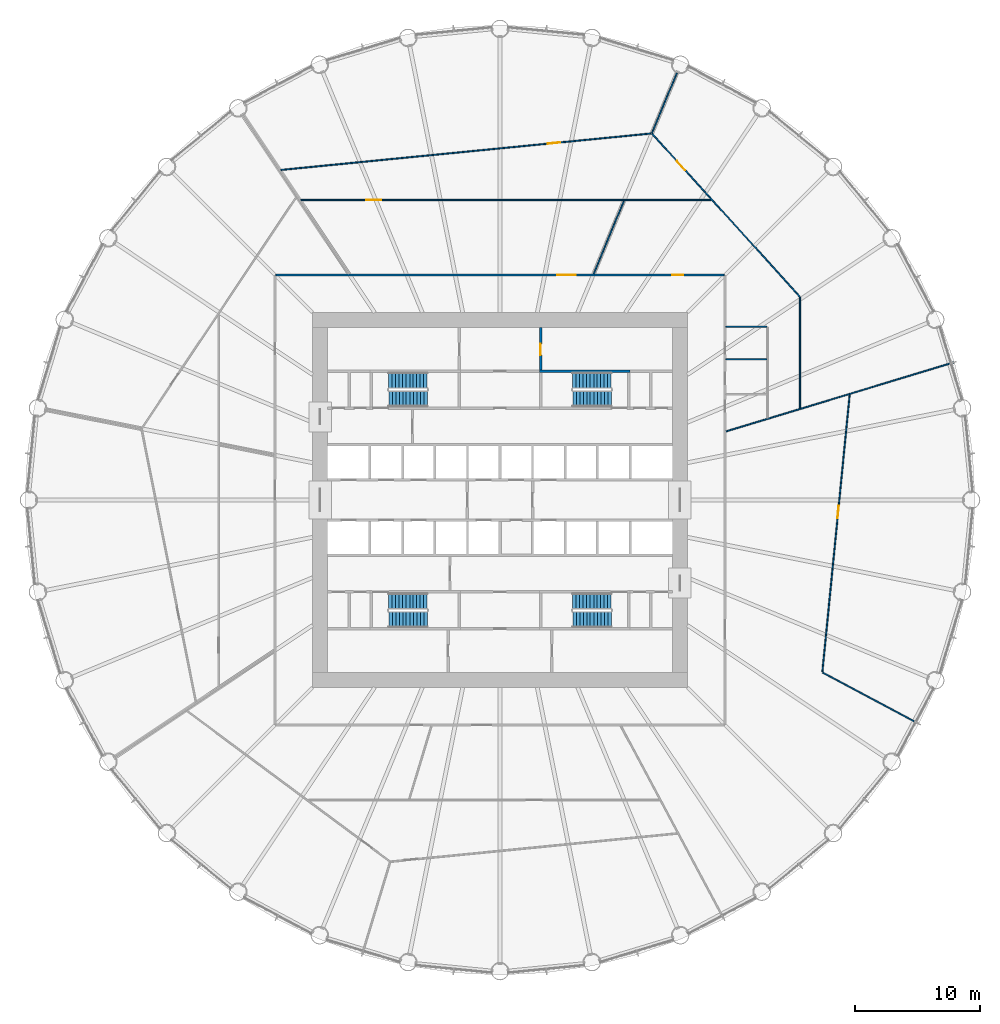
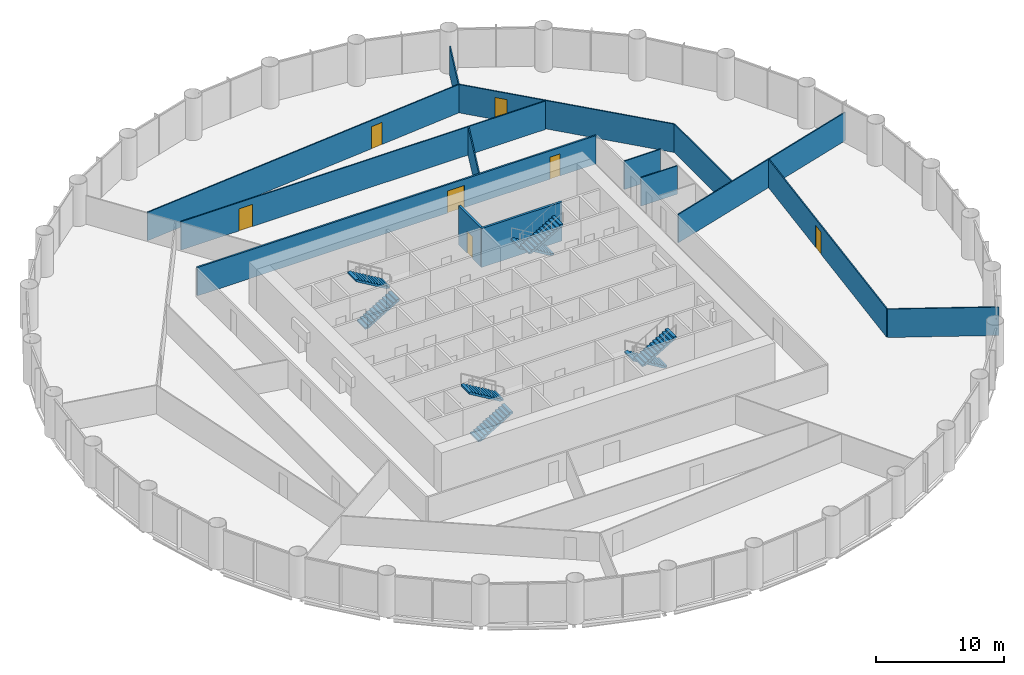
# One storey, part 13 of 14: 14 walls, 8 stair flights, 7 doors, 7 openings, 4 elements without a shape of their own.
"""IFC4 building model written with IfcOpenShell, lengths in metres."""

from ifc_helpers import new_model, si_unit, direction, frame, frame_2d, origin, place, context, subcontext, project, spatial, polyline, rectangle, outline, extrude, material, layer, layer_set, type_object, element, fill, aggregate, save


model = new_model("IFC4")

# Units and contexts
model_context = context("Model", 3, precision=1e-05, world=origin(), true_north=direction((0.0, 1.0)))
body_context = subcontext(model_context, "Body", "Model", "MODEL_VIEW")
ifc_project = project(units=[si_unit("LENGTHUNIT", "METRE"), si_unit("AREAUNIT", "SQUARE_METRE"), si_unit("VOLUMEUNIT", "CUBIC_METRE"), si_unit("PLANEANGLEUNIT", "RADIAN"), si_unit("MASSUNIT", "GRAM", prefix="KILO")], contexts=[model_context])

# Site, building, storey
site_placement = place(None, origin())
site = spatial("IfcSite", under=ifc_project, at=site_placement, CompositionType="ELEMENT")
building_placement = place(site_placement, origin())
building = spatial("IfcBuilding", under=site, at=building_placement, Name="Corvane Civic Tower", CompositionType="ELEMENT")
storey_placement = place(building_placement, frame((0.0, 0.0, 49.0)))
storey = spatial("IfcBuildingStorey", under=building, at=storey_placement, Name="L10", CompositionType="ELEMENT", Elevation=49.0)

# Wall, opening, door
ifc_material_1 = material(Name="Concrete C30/37", Category="concrete")
ifc_layer_1 = layer(ifc_material_1, 0.199951171875)
ifc_layer_set_1 = layer_set([ifc_layer_1], Name="Concrete C30/37")
wall_type_1 = type_object("IfcWallType", Name="CR-WALL-200", PredefinedType="PARTITIONING", material=ifc_layer_set_1)
wall_1_placement = place(storey_placement, frame((3.25, 10.39990234375, 0.0), z_axis=(0.0, 0.0, 1.0), x_axis=(0.0, 1.0, 0.0)))
wall_1 = element("IfcWall", 1, at=wall_1_placement, inside=storey, type_object=wall_type_1, Name="L10 partition wall", PredefinedType="PARTITIONING", context=body_context, shape_type="SweptSolid", body=[
    extrude(rectangle(XDim=3.400146484375, YDim=0.199951171875, at=frame_2d((1.7001953125, 0.0))), origin(), (0.0, 0.0, 1.0), 3.699951171875),
])
opening_1_placement = place(wall_1_placement, frame((1.199951171875, 0.0, 0.0)))
opening_1 = element("IfcOpeningElement", 2, at=opening_1_placement, cuts=wall_1, Name="Opening L10.C06", PredefinedType="OPENING", context=body_context, shape_type="SweptSolid", body=[
    extrude(rectangle(XDim=0.89990234375, YDim=2.10009765625, at=frame_2d((0.449951171875, 1.050048828125))), frame((0.0, 0.10986328125, 0.0), z_axis=(0.0, -1.0, 0.0), x_axis=(1.0, 0.0, 0.0)), (0.0, 0.0, 1.0), 0.219970703125),
])
ifc_material_2 = material(Name="Steel fire door leaf", Category="steel")
door_type_1 = type_object("IfcDoorType", Name="CR-DOOR-900", OperationType="SINGLE_SWING_LEFT", PredefinedType="DOOR", material=ifc_material_2)
door_1_placement = place(opening_1_placement, origin())
door_1 = element("IfcDoor", 3, at=door_1_placement, inside=storey, type_object=door_type_1, Name="L10 door", OperationType="SINGLE_SWING_LEFT", OverallHeight=2.10009765625, OverallWidth=0.89990234375, PredefinedType="DOOR", context=body_context, shape_type="SweptSolid", body=[
    extrude(rectangle(XDim=0.89990234375, YDim=2.10009765625, at=frame_2d((0.449951171875, 1.050048828125))), frame((0.0, 0.02490234375, 0.0), z_axis=(0.0, -1.0, 0.0), x_axis=(1.0, 0.0, 0.0)), (0.0, 0.0, 1.0), 0.050048828125),
])
fill(opening_1, door_1)

# Wall
ifc_material_3 = material(Name="Plasterboard")
ifc_layer_2 = layer(ifc_material_3, 0.10009765625)
ifc_layer_set_2 = layer_set([ifc_layer_2], Name="Plasterboard")
wall_type_2 = type_object("IfcWallType", Name="Partition 100 plasterboard on studs", PredefinedType="PARTITIONING", material=ifc_layer_set_2)
wall_2_placement = place(storey_placement, frame((25.816650390625, -13.79931640625, 0.0), z_axis=(0.0, 0.0, 1.0), x_axis=(0.881917954485, -0.471402929092, 0.0)))
element("IfcWall", 4, at=wall_2_placement, inside=storey, type_object=wall_type_2, Name="Partition L10.011", PredefinedType="PARTITIONING", context=body_context, shape_type="SweptSolid", body=[
    extrude(rectangle(XDim=8.677001953125, YDim=0.10009765625, at=frame_2d((4.33837890625, 0.0))), origin(), (0.0, 0.0, 1.0), 2.699951171875),
])

# Wall, opening, door
wall_3_placement = place(storey_placement, frame((25.790283203125, -13.750244140625, 0.0), z_axis=(0.0, 0.0, 1.0), x_axis=(0.098025320234, 0.995183920988, 0.0)))
wall_3 = element("IfcWall", 5, at=wall_3_placement, inside=storey, type_object=wall_type_2, Name="Partition L10.014", PredefinedType="PARTITIONING", context=body_context, shape_type="SweptSolid", body=[
    extrude(rectangle(XDim=22.270751953125, YDim=0.10009765625, at=frame_2d((11.13525390625, 0.0))), origin(), (0.0, 0.0, 1.0), 2.699951171875),
])
opening_2_placement = place(wall_3_placement, frame((12.360107421875, 0.0, 0.0)))
opening_2 = element("IfcOpeningElement", 6, at=opening_2_placement, cuts=wall_3, Name="Opening L10.009", PredefinedType="OPENING", context=body_context, shape_type="SweptSolid", body=[
    extrude(rectangle(XDim=1.0, YDim=2.10009765625, at=frame_2d((0.5, 1.050048828125))), frame((0.0, 0.06005859375, 0.0), z_axis=(0.0, -1.0, 0.0), x_axis=(1.0, 0.0, 0.0)), (0.0, 0.0, 1.0), 0.1201171875),
])
ifc_material_4 = material(Name="Timber", Category="wood")
door_type_2 = type_object("IfcDoorType", Name="Single door 1000", OperationType="NOTDEFINED", PredefinedType="DOOR", material=ifc_material_4)
door_2_placement = place(opening_2_placement, frame((1.0, 0.0, 0.0), z_axis=(0.0, 0.0, 1.0), x_axis=(-1.0, 0.0, 0.0)))
door_2 = element("IfcDoor", 7, at=door_2_placement, inside=storey, type_object=door_type_2, Name="Door L10.009", OperationType="SINGLE_SWING_RIGHT", OverallHeight=2.10009765625, OverallWidth=1.0, PredefinedType="DOOR", context=body_context, shape_type="SweptSolid", body=[
    extrude(rectangle(XDim=1.0, YDim=2.10009765625, at=frame_2d((0.5, 1.050048828125))), frame((0.0, 0.02490234375, 0.0), z_axis=(0.0, -1.0, 0.0), x_axis=(1.0, 0.0, 0.0)), (0.0, 0.0, 1.0), 0.050048828125),
])
fill(opening_2, door_2)

# Walls
wall_4_placement = place(storey_placement, frame((18.089599609375, 5.4873046875, 0.0), z_axis=(0.0, 0.0, 1.0), x_axis=(0.956939089539, 0.290288785373, 0.0)))
element("IfcWall", 8, at=wall_4_placement, inside=storey, type_object=wall_type_2, Name="Partition L10.016", PredefinedType="PARTITIONING", context=body_context, shape_type="SweptSolid", body=[
    extrude(rectangle(XDim=19.046630859375, YDim=0.10009765625, at=frame_2d((9.5234375, 0.0))), origin(), (0.0, 0.0, 1.0), 2.699951171875),
])
wall_5_placement = place(storey_placement, frame((24.0, 7.34765625, 0.0), z_axis=(0.0, 0.0, 1.0), x_axis=(0.0, 1.0, 0.0)))
element("IfcWall", 9, at=wall_5_placement, inside=storey, type_object=wall_type_2, Name="Partition L10.020", PredefinedType="PARTITIONING", context=body_context, shape_type="SweptSolid", body=[
    extrude(rectangle(XDim=8.88232421875, YDim=0.10009765625, at=frame_2d((4.441162109375, 0.0))), origin(), (0.0, 0.0, 1.0), 2.699951171875),
])
for number, where, z_axis, x_axis, name in (
    (10, (18.074951171875, 11.26025390625, 0.0), (0.0, 0.0, 1.0), (1.0, 0.0, 0.0), "Partition L10.022"),
    (11, (18.074951171875, 13.860107421875, 0.0), (0.0, 0.0, 1.0), (1.0, 0.0, 0.0), "Partition L10.023"),
):
    element("IfcWall", number, at=place(storey_placement, frame(where, z_axis=z_axis, x_axis=x_axis)), inside=storey, type_object=wall_type_2, Name=name, PredefinedType="PARTITIONING", context=body_context, shape_type="SweptSolid", body=[
        extrude(rectangle(XDim=3.275146484375, YDim=0.10009765625, at=frame_2d((1.6376953125, 0.0))), origin(), (0.0, 0.0, 1.0), 2.699951171875),
    ])

# Wall, opening, door
wall_6_placement = place(storey_placement, frame((12.168701171875, 29.302978515625, 0.0), z_axis=(0.0, 0.0, 1.0), x_axis=(0.67155893735, -0.740951141213, 0.0)))
wall_6 = element("IfcWall", 12, at=wall_6_placement, inside=storey, type_object=wall_type_2, Name="Partition L10.024", PredefinedType="PARTITIONING", context=body_context, shape_type="SweptSolid", body=[
    extrude(rectangle(XDim=17.598388671875, YDim=0.10009765625, at=frame_2d((8.79931640625, 0.0))), origin(), (0.0, 0.0, 1.0), 2.699951171875),
])
opening_3_placement = place(wall_6_placement, frame((2.9453125, 0.0, 0.0)))
opening_3 = element("IfcOpeningElement", 13, at=opening_3_placement, cuts=wall_6, Name="Opening L10.002", PredefinedType="OPENING", context=body_context, shape_type="SweptSolid", body=[
    extrude(rectangle(XDim=1.0, YDim=2.10009765625, at=frame_2d((0.5, 1.050048828125))), frame((0.0, 0.06005859375, 0.0), z_axis=(0.0, -1.0, 0.0), x_axis=(1.0, 0.0, 0.0)), (0.0, 0.0, 1.0), 0.1201171875),
])
door_3_placement = place(opening_3_placement, origin())
door_3 = element("IfcDoor", 14, at=door_3_placement, inside=storey, type_object=door_type_2, Name="Door L10.002", OperationType="SINGLE_SWING_LEFT", OverallHeight=2.10009765625, OverallWidth=1.0, PredefinedType="DOOR", context=body_context, shape_type="SweptSolid", body=[
    extrude(rectangle(XDim=1.0, YDim=2.10009765625, at=frame_2d((0.5, 1.050048828125))), frame((0.0, 0.02490234375, 0.0), z_axis=(0.0, -1.0, 0.0), x_axis=(1.0, 0.0, 0.0)), (0.0, 0.0, 1.0), 0.050048828125),
])
fill(opening_3, door_3)

# Wall
wall_7_placement = place(storey_placement, frame((7.494873046875, 18.093994140625, 0.0), z_axis=(0.0, 0.0, 1.0), x_axis=(0.382682843627, 0.923879776374, 0.0)))
element("IfcWall", 15, at=wall_7_placement, inside=storey, type_object=wall_type_2, Name="Partition L10.026", PredefinedType="PARTITIONING", context=body_context, shape_type="SweptSolid", body=[
    extrude(rectangle(XDim=6.31787109375, YDim=0.10009765625, at=frame_2d((3.158935546875, 0.0))), origin(), (0.0, 0.0, 1.0), 2.699951171875),
])

# Wall, opening, door
wall_8_placement = place(storey_placement, frame((-15.942626953125, 24.0, 0.0), z_axis=(0.0, 0.0, 1.0), x_axis=(1.0, 0.0, 0.0)))
wall_8 = element("IfcWall", 16, at=wall_8_placement, inside=storey, type_object=wall_type_2, Name="Partition L10.028", PredefinedType="PARTITIONING", context=body_context, shape_type="SweptSolid", body=[
    extrude(rectangle(XDim=32.804931640625, YDim=0.10009765625, at=frame_2d((16.40234375, 0.0))), origin(), (0.0, 0.0, 1.0), 2.699951171875),
])
opening_4_placement = place(wall_8_placement, frame((5.2353515625, 0.0, 0.0)))
opening_4 = element("IfcOpeningElement", 17, at=opening_4_placement, cuts=wall_8, Name="Opening L10.003", PredefinedType="OPENING", context=body_context, shape_type="SweptSolid", body=[
    extrude(rectangle(XDim=1.199951171875, YDim=2.10009765625, at=frame_2d((0.60009765625, 1.050048828125))), frame((0.0, 0.06005859375, 0.0), z_axis=(0.0, -1.0, 0.0), x_axis=(1.0, 0.0, 0.0)), (0.0, 0.0, 1.0), 0.1201171875),
])
ifc_material_5 = material(Name="Timber", Category="wood")
door_type_3 = type_object("IfcDoorType", Name="Double door 1200", OperationType="NOTDEFINED", PredefinedType="DOOR", material=ifc_material_5)
door_4_placement = place(opening_4_placement, origin())
door_4 = element("IfcDoor", 18, at=door_4_placement, inside=storey, type_object=door_type_3, Name="Door L10.003", OperationType="DOUBLE_DOOR_SINGLE_SWING", OverallHeight=2.10009765625, OverallWidth=1.199951171875, PredefinedType="DOOR", context=body_context, shape_type="SweptSolid", body=[
    extrude(rectangle(XDim=1.199951171875, YDim=2.10009765625, at=frame_2d((0.60009765625, 1.050048828125))), frame((0.0, 0.02490234375, 0.0), z_axis=(0.0, -1.0, 0.0), x_axis=(1.0, 0.0, 0.0)), (0.0, 0.0, 1.0), 0.050048828125),
])
fill(opening_4, door_4)

wall_9_placement = place(storey_placement, frame((-17.55224609375, 26.401123046875, 0.0), z_axis=(0.0, 0.0, 1.0), x_axis=(0.995184297926, 0.098021493369, 0.0)))
wall_9 = element("IfcWall", 19, at=wall_9_placement, inside=storey, type_object=wall_type_2, Name="Partition L10.029", PredefinedType="PARTITIONING", context=body_context, shape_type="SweptSolid", body=[
    extrude(rectangle(XDim=29.8134765625, YDim=0.10009765625, at=frame_2d((14.90673828125, 0.0))), origin(), (0.0, 0.0, 1.0), 2.699951171875),
])
opening_5_placement = place(wall_9_placement, frame((21.461669921875, 0.0, 0.0)))
opening_5 = element("IfcOpeningElement", 20, at=opening_5_placement, cuts=wall_9, Name="Opening L10.001", PredefinedType="OPENING", context=body_context, shape_type="SweptSolid", body=[
    extrude(rectangle(XDim=1.0, YDim=2.10009765625, at=frame_2d((0.5, 1.050048828125))), frame((0.0, 0.06005859375, 0.0), z_axis=(0.0, -1.0, 0.0), x_axis=(1.0, 0.0, 0.0)), (0.0, 0.0, 1.0), 0.1201171875),
])
door_5_placement = place(opening_5_placement, origin())
door_5 = element("IfcDoor", 21, at=door_5_placement, inside=storey, type_object=door_type_2, Name="Door L10.001", OperationType="SINGLE_SWING_LEFT", OverallHeight=2.10009765625, OverallWidth=1.0, PredefinedType="DOOR", context=body_context, shape_type="SweptSolid", body=[
    extrude(rectangle(XDim=1.0, YDim=2.10009765625, at=frame_2d((0.5, 1.050048828125))), frame((0.0, 0.02490234375, 0.0), z_axis=(0.0, -1.0, 0.0), x_axis=(1.0, 0.0, 0.0)), (0.0, 0.0, 1.0), 0.050048828125),
])
fill(opening_5, door_5)

# Walls
wall_10_placement = place(storey_placement, frame((12.159423828125, 29.355712890625, 0.0), z_axis=(0.0, 0.0, 1.0), x_axis=(0.382710078271, 0.923868494965, 0.0)))
element("IfcWall", 22, at=wall_10_placement, inside=storey, type_object=wall_type_2, Name="Partition L10.030", PredefinedType="PARTITIONING", context=body_context, shape_type="SweptSolid", body=[
    extrude(rectangle(XDim=5.215576171875, YDim=0.10009765625, at=frame_2d((2.60791015625, 0.0))), origin(), (0.0, 0.0, 1.0), 2.699951171875),
])
ifc_material_6 = material(Name="Concrete C50/60", Category="concrete")
ifc_layer_3 = layer(ifc_material_6, 0.199951171875)
ifc_layer_set_3 = layer_set([ifc_layer_3], Name="Concrete C50/60")
wall_type_3 = type_object("IfcWallType", Name="ST-WALL-200", PredefinedType="SHEAR", material=ifc_layer_set_3)
wall_11_placement = place(storey_placement, origin())
element("IfcWall", 23, at=wall_11_placement, inside=storey, type_object=wall_type_3, Name="L10 stair enclosure wall", PredefinedType="SHEAR", context=body_context, shape_type="SweptSolid", body=[
    extrude(outline(polyline([(10.39990234375, 10.199951171875), (3.14990234375, 10.199951171875), (3.14990234375, 10.39990234375), (10.39990234375, 10.39990234375), (10.39990234375, 10.199951171875)])), origin(), (0.0, 0.0, 1.0), 3.699951171875),
])

# Wall, openings, doors
ifc_material_7 = material(Name="Plasterboard")
ifc_layer_4 = layer(ifc_material_7, 0.14990234375)
ifc_layer_set_4 = layer_set([ifc_layer_4], Name="Plasterboard")
wall_type_4 = type_object("IfcWallType", Name="Tenancy wall 150 EI 60", PredefinedType="PARTITIONING", material=ifc_layer_set_4)
wall_12_placement = place(storey_placement, frame((-17.925048828125, 18.0, 0.0), z_axis=(0.0, 0.0, 1.0), x_axis=(1.0, 0.0, 0.0)))
wall_12 = element("IfcWall", 24, at=wall_12_placement, inside=storey, type_object=wall_type_4, Name="Partition L10.025", PredefinedType="PARTITIONING", context=body_context, shape_type="SweptSolid", body=[
    extrude(rectangle(XDim=35.85009765625, YDim=0.14990234375, at=frame_2d((17.925048828125, 0.0))), origin(), (0.0, 0.0, 1.0), 2.699951171875),
])
opening_6_placement = place(wall_12_placement, frame((22.4951171875, 0.0, 0.0)))
opening_6 = element("IfcOpeningElement", 25, at=opening_6_placement, cuts=wall_12, Name="Opening L10.004", PredefinedType="OPENING", context=body_context, shape_type="SweptSolid", body=[
    extrude(rectangle(XDim=1.5, YDim=2.10009765625, at=frame_2d((0.75, 1.050048828125))), frame((0.0, 0.0849609375, 0.0), z_axis=(0.0, -1.0, 0.0), x_axis=(1.0, 0.0, 0.0)), (0.0, 0.0, 1.0), 0.169921875),
])
opening_7_placement = place(wall_12_placement, frame((31.700927734375, 0.0, 0.0)))
opening_7 = element("IfcOpeningElement", 26, at=opening_7_placement, cuts=wall_12, Name="Opening L10.005", PredefinedType="OPENING", context=body_context, shape_type="SweptSolid", body=[
    extrude(rectangle(XDim=0.89990234375, YDim=2.10009765625, at=frame_2d((0.449951171875, 1.050048828125))), frame((0.0, 0.0849609375, 0.0), z_axis=(0.0, -1.0, 0.0), x_axis=(1.0, 0.0, 0.0)), (0.0, 0.0, 1.0), 0.169921875),
])
ifc_material_8 = material(Name="Steel and timber", Category="steel")
door_type_4 = type_object("IfcDoorType", Name="Fire door FD30S 900", OperationType="NOTDEFINED", PredefinedType="DOOR", material=ifc_material_8)
door_6_placement = place(opening_7_placement, origin())
door_6 = element("IfcDoor", 27, at=door_6_placement, inside=storey, type_object=door_type_4, Name="Door L10.005", OperationType="SINGLE_SWING_LEFT", OverallHeight=2.10009765625, OverallWidth=0.89990234375, PredefinedType="DOOR", context=body_context, shape_type="SweptSolid", body=[
    extrude(rectangle(XDim=0.89990234375, YDim=2.10009765625, at=frame_2d((0.449951171875, 1.050048828125))), frame((0.0, 0.02490234375, 0.0), z_axis=(0.0, -1.0, 0.0), x_axis=(1.0, 0.0, 0.0)), (0.0, 0.0, 1.0), 0.050048828125),
])
fill(opening_7, door_6)
ifc_material_9 = material(Name="Steel and timber", Category="steel")
door_type_5 = type_object("IfcDoorType", Name="Fire door FD60 double 1500", OperationType="NOTDEFINED", PredefinedType="DOOR", material=ifc_material_9)
door_7_placement = place(opening_6_placement, origin())
door_7 = element("IfcDoor", 28, at=door_7_placement, inside=storey, type_object=door_type_5, Name="Door L10.004", OperationType="DOUBLE_DOOR_SINGLE_SWING", OverallHeight=2.10009765625, OverallWidth=1.5, PredefinedType="DOOR", context=body_context, shape_type="SweptSolid", body=[
    extrude(rectangle(XDim=1.5, YDim=2.10009765625, at=frame_2d((0.75, 1.050048828125))), frame((0.0, 0.02490234375, 0.0), z_axis=(0.0, -1.0, 0.0), x_axis=(1.0, 0.0, 0.0)), (0.0, 0.0, 1.0), 0.050048828125),
])
fill(opening_6, door_7)

# Stair, stair flights
ifc_material_10 = material(Name="Concrete C40/50", Category="concrete")
stair_type = type_object("IfcStairType", Name="ST-STAIR-HALFTURN", PredefinedType="HALF_TURN_STAIR", material=ifc_material_10)
stair_1_placement = place(storey_placement, origin())
stair_1 = element("IfcStair", 29, at=stair_1_placement, inside=storey, type_object=stair_type, Name="L10 Exit stair ST1", PredefinedType="HALF_TURN_STAIR")
ifc_material_11 = material(Name="Concrete C40/50", Category="concrete")
stair_flight_type = type_object("IfcStairFlightType", Name="ST-FLIGHT-RC", PredefinedType="STRAIGHT", material=ifc_material_11)
stair_flight_1_placement = place(storey_placement, frame((8.89990234375, 9.550048828125, 0.0), z_axis=(0.0, 0.0, 1.0), x_axis=(-1.0, 0.0, 0.0)))
stair_flight_1 = element("IfcStairFlight", 30, at=stair_flight_1_placement, type_object=stair_flight_type, Name="ST1 flight 1", NumberOfRisers=12, NumberOfTreads=11, PredefinedType="STRAIGHT", RiserHeight=0.166666667, TreadLength=0.28, context=body_context, shape_type="SweptSolid", body=[
    extrude(outline(polyline([(0.0, 0.0), (0.0, 0.166748046875), (0.280029296875, 0.166748046875), (0.280029296875, 0.333251953125), (0.56005859375, 0.333251953125), (0.56005859375, 0.5), (0.840087890625, 0.5), (0.840087890625, 0.666748046875), (1.1201171875, 0.666748046875), (1.1201171875, 0.833251953125), (1.39990234375, 0.833251953125), (1.39990234375, 1.0), (1.679931640625, 1.0), (1.679931640625, 1.166748046875), (1.9599609375, 1.166748046875), (1.9599609375, 1.333251953125), (2.239990234375, 1.333251953125), (2.239990234375, 1.5), (2.52001953125, 1.5), (2.52001953125, 1.666748046875), (2.800048828125, 1.666748046875), (2.800048828125, 1.833251953125), (3.080078125, 1.833251953125), (3.080078125, 2.0), (3.080078125, 1.658935546875), (0.29296875, 0.0), (0.0, 0.0)])), frame((0.0, 0.64990234375, 0.0), z_axis=(0.0, -1.0, 0.0), x_axis=(1.0, 0.0, 0.0)), (0.0, 0.0, 1.0), 1.300048828125),
])
stair_flight_2_placement = place(storey_placement, frame((5.820068359375, 8.10009765625, 2.0), z_axis=(0.0, 0.0, 1.0), x_axis=(1.0, 0.0, 0.0)))
stair_flight_2 = element("IfcStairFlight", 31, at=stair_flight_2_placement, type_object=stair_flight_type, Name="ST1 flight 2", NumberOfRisers=12, NumberOfTreads=11, PredefinedType="STRAIGHT", RiserHeight=0.166666667, TreadLength=0.28, context=body_context, shape_type="SweptSolid", body=[
    extrude(outline(polyline([(0.0, 0.0), (0.0, 0.166748046875), (0.280029296875, 0.166748046875), (0.280029296875, 0.333251953125), (0.56005859375, 0.333251953125), (0.56005859375, 0.5), (0.840087890625, 0.5), (0.840087890625, 0.666748046875), (1.1201171875, 0.666748046875), (1.1201171875, 0.833251953125), (1.39990234375, 0.833251953125), (1.39990234375, 1.0), (1.679931640625, 1.0), (1.679931640625, 1.166748046875), (1.9599609375, 1.166748046875), (1.9599609375, 1.333251953125), (2.239990234375, 1.333251953125), (2.239990234375, 1.5), (2.52001953125, 1.5), (2.52001953125, 1.666748046875), (2.800048828125, 1.666748046875), (2.800048828125, 1.833251953125), (3.080078125, 1.833251953125), (3.080078125, 2.0), (3.080078125, 1.658935546875), (0.29296875, 0.0), (0.0, 0.0)])), frame((0.0, 0.64990234375, 0.0), z_axis=(0.0, -1.0, 0.0), x_axis=(1.0, 0.0, 0.0)), (0.0, 0.0, 1.0), 1.300048828125),
])
aggregate(stair_1, [stair_flight_1, stair_flight_2])

stair_2_placement = place(storey_placement, origin())
stair_2 = element("IfcStair", 32, at=stair_2_placement, inside=storey, type_object=stair_type, Name="L10 Exit stair ST2", PredefinedType="HALF_TURN_STAIR")
stair_flight_3_placement = place(storey_placement, frame((8.89990234375, -8.10009765625, 0.0), z_axis=(0.0, 0.0, 1.0), x_axis=(-1.0, 0.0, 0.0)))
stair_flight_3 = element("IfcStairFlight", 33, at=stair_flight_3_placement, type_object=stair_flight_type, Name="ST2 flight 1", NumberOfRisers=12, NumberOfTreads=11, PredefinedType="STRAIGHT", RiserHeight=0.166666667, TreadLength=0.28, context=body_context, shape_type="SweptSolid", body=[
    extrude(outline(polyline([(0.0, 0.0), (0.0, 0.166748046875), (0.280029296875, 0.166748046875), (0.280029296875, 0.333251953125), (0.56005859375, 0.333251953125), (0.56005859375, 0.5), (0.840087890625, 0.5), (0.840087890625, 0.666748046875), (1.1201171875, 0.666748046875), (1.1201171875, 0.833251953125), (1.39990234375, 0.833251953125), (1.39990234375, 1.0), (1.679931640625, 1.0), (1.679931640625, 1.166748046875), (1.9599609375, 1.166748046875), (1.9599609375, 1.333251953125), (2.239990234375, 1.333251953125), (2.239990234375, 1.5), (2.52001953125, 1.5), (2.52001953125, 1.666748046875), (2.800048828125, 1.666748046875), (2.800048828125, 1.833251953125), (3.080078125, 1.833251953125), (3.080078125, 2.0), (3.080078125, 1.658935546875), (0.29296875, 0.0), (0.0, 0.0)])), frame((0.0, 0.64990234375, 0.0), z_axis=(0.0, -1.0, 0.0), x_axis=(1.0, 0.0, 0.0)), (0.0, 0.0, 1.0), 1.300048828125),
])
stair_flight_4_placement = place(storey_placement, frame((5.820068359375, -9.550048828125, 2.0), z_axis=(0.0, 0.0, 1.0), x_axis=(1.0, 0.0, 0.0)))
stair_flight_4 = element("IfcStairFlight", 34, at=stair_flight_4_placement, type_object=stair_flight_type, Name="ST2 flight 2", NumberOfRisers=12, NumberOfTreads=11, PredefinedType="STRAIGHT", RiserHeight=0.166666667, TreadLength=0.28, context=body_context, shape_type="SweptSolid", body=[
    extrude(outline(polyline([(0.0, 0.0), (0.0, 0.166748046875), (0.280029296875, 0.166748046875), (0.280029296875, 0.333251953125), (0.56005859375, 0.333251953125), (0.56005859375, 0.5), (0.840087890625, 0.5), (0.840087890625, 0.666748046875), (1.1201171875, 0.666748046875), (1.1201171875, 0.833251953125), (1.39990234375, 0.833251953125), (1.39990234375, 1.0), (1.679931640625, 1.0), (1.679931640625, 1.166748046875), (1.9599609375, 1.166748046875), (1.9599609375, 1.333251953125), (2.239990234375, 1.333251953125), (2.239990234375, 1.5), (2.52001953125, 1.5), (2.52001953125, 1.666748046875), (2.800048828125, 1.666748046875), (2.800048828125, 1.833251953125), (3.080078125, 1.833251953125), (3.080078125, 2.0), (3.080078125, 1.658935546875), (0.29296875, 0.0), (0.0, 0.0)])), frame((0.0, 0.64990234375, 0.0), z_axis=(0.0, -1.0, 0.0), x_axis=(1.0, 0.0, 0.0)), (0.0, 0.0, 1.0), 1.300048828125),
])
aggregate(stair_2, [stair_flight_3, stair_flight_4])

stair_3_placement = place(storey_placement, origin())
stair_3 = element("IfcStair", 35, at=stair_3_placement, inside=storey, type_object=stair_type, Name="L10 Exit stair ST3", PredefinedType="HALF_TURN_STAIR")
stair_flight_5_placement = place(storey_placement, frame((-8.89990234375, -9.550048828125, 0.0), z_axis=(0.0, 0.0, 1.0), x_axis=(1.0, 0.0, 0.0)))
stair_flight_5 = element("IfcStairFlight", 36, at=stair_flight_5_placement, type_object=stair_flight_type, Name="ST3 flight 1", NumberOfRisers=12, NumberOfTreads=11, PredefinedType="STRAIGHT", RiserHeight=0.166666667, TreadLength=0.28, context=body_context, shape_type="SweptSolid", body=[
    extrude(outline(polyline([(0.0, 0.0), (0.0, 0.166748046875), (0.280029296875, 0.166748046875), (0.280029296875, 0.333251953125), (0.56005859375, 0.333251953125), (0.56005859375, 0.5), (0.840087890625, 0.5), (0.840087890625, 0.666748046875), (1.1201171875, 0.666748046875), (1.1201171875, 0.833251953125), (1.39990234375, 0.833251953125), (1.39990234375, 1.0), (1.679931640625, 1.0), (1.679931640625, 1.166748046875), (1.9599609375, 1.166748046875), (1.9599609375, 1.333251953125), (2.239990234375, 1.333251953125), (2.239990234375, 1.5), (2.52001953125, 1.5), (2.52001953125, 1.666748046875), (2.800048828125, 1.666748046875), (2.800048828125, 1.833251953125), (3.080078125, 1.833251953125), (3.080078125, 2.0), (3.080078125, 1.658935546875), (0.29296875, 0.0), (0.0, 0.0)])), frame((0.0, 0.64990234375, 0.0), z_axis=(0.0, -1.0, 0.0), x_axis=(1.0, 0.0, 0.0)), (0.0, 0.0, 1.0), 1.300048828125),
])
stair_flight_6_placement = place(storey_placement, frame((-5.820068359375, -8.10009765625, 2.0), z_axis=(0.0, 0.0, 1.0), x_axis=(-1.0, 0.0, 0.0)))
stair_flight_6 = element("IfcStairFlight", 37, at=stair_flight_6_placement, type_object=stair_flight_type, Name="ST3 flight 2", NumberOfRisers=12, NumberOfTreads=11, PredefinedType="STRAIGHT", RiserHeight=0.166666667, TreadLength=0.28, context=body_context, shape_type="SweptSolid", body=[
    extrude(outline(polyline([(0.0, 0.0), (0.0, 0.166748046875), (0.280029296875, 0.166748046875), (0.280029296875, 0.333251953125), (0.56005859375, 0.333251953125), (0.56005859375, 0.5), (0.840087890625, 0.5), (0.840087890625, 0.666748046875), (1.1201171875, 0.666748046875), (1.1201171875, 0.833251953125), (1.39990234375, 0.833251953125), (1.39990234375, 1.0), (1.679931640625, 1.0), (1.679931640625, 1.166748046875), (1.9599609375, 1.166748046875), (1.9599609375, 1.333251953125), (2.239990234375, 1.333251953125), (2.239990234375, 1.5), (2.52001953125, 1.5), (2.52001953125, 1.666748046875), (2.800048828125, 1.666748046875), (2.800048828125, 1.833251953125), (3.080078125, 1.833251953125), (3.080078125, 2.0), (3.080078125, 1.658935546875), (0.29296875, 0.0), (0.0, 0.0)])), frame((0.0, 0.64990234375, 0.0), z_axis=(0.0, -1.0, 0.0), x_axis=(1.0, 0.0, 0.0)), (0.0, 0.0, 1.0), 1.300048828125),
])
aggregate(stair_3, [stair_flight_5, stair_flight_6])

stair_4_placement = place(storey_placement, origin())
stair_4 = element("IfcStair", 38, at=stair_4_placement, inside=storey, type_object=stair_type, Name="L10 Exit stair ST4", PredefinedType="HALF_TURN_STAIR")
stair_flight_7_placement = place(storey_placement, frame((-8.89990234375, 8.10009765625, 0.0), z_axis=(0.0, 0.0, 1.0), x_axis=(1.0, 0.0, 0.0)))
stair_flight_7 = element("IfcStairFlight", 39, at=stair_flight_7_placement, type_object=stair_flight_type, Name="ST4 flight 1", NumberOfRisers=12, NumberOfTreads=11, PredefinedType="STRAIGHT", RiserHeight=0.166666667, TreadLength=0.28, context=body_context, shape_type="SweptSolid", body=[
    extrude(outline(polyline([(0.0, 0.0), (0.0, 0.166748046875), (0.280029296875, 0.166748046875), (0.280029296875, 0.333251953125), (0.56005859375, 0.333251953125), (0.56005859375, 0.5), (0.840087890625, 0.5), (0.840087890625, 0.666748046875), (1.1201171875, 0.666748046875), (1.1201171875, 0.833251953125), (1.39990234375, 0.833251953125), (1.39990234375, 1.0), (1.679931640625, 1.0), (1.679931640625, 1.166748046875), (1.9599609375, 1.166748046875), (1.9599609375, 1.333251953125), (2.239990234375, 1.333251953125), (2.239990234375, 1.5), (2.52001953125, 1.5), (2.52001953125, 1.666748046875), (2.800048828125, 1.666748046875), (2.800048828125, 1.833251953125), (3.080078125, 1.833251953125), (3.080078125, 2.0), (3.080078125, 1.658935546875), (0.29296875, 0.0), (0.0, 0.0)])), frame((0.0, 0.64990234375, 0.0), z_axis=(0.0, -1.0, 0.0), x_axis=(1.0, 0.0, 0.0)), (0.0, 0.0, 1.0), 1.300048828125),
])
stair_flight_8_placement = place(storey_placement, frame((-5.820068359375, 9.550048828125, 2.0), z_axis=(0.0, 0.0, 1.0), x_axis=(-1.0, 0.0, 0.0)))
stair_flight_8 = element("IfcStairFlight", 40, at=stair_flight_8_placement, type_object=stair_flight_type, Name="ST4 flight 2", NumberOfRisers=12, NumberOfTreads=11, PredefinedType="STRAIGHT", RiserHeight=0.166666667, TreadLength=0.28, context=body_context, shape_type="SweptSolid", body=[
    extrude(outline(polyline([(0.0, 0.0), (0.0, 0.166748046875), (0.280029296875, 0.166748046875), (0.280029296875, 0.333251953125), (0.56005859375, 0.333251953125), (0.56005859375, 0.5), (0.840087890625, 0.5), (0.840087890625, 0.666748046875), (1.1201171875, 0.666748046875), (1.1201171875, 0.833251953125), (1.39990234375, 0.833251953125), (1.39990234375, 1.0), (1.679931640625, 1.0), (1.679931640625, 1.166748046875), (1.9599609375, 1.166748046875), (1.9599609375, 1.333251953125), (2.239990234375, 1.333251953125), (2.239990234375, 1.5), (2.52001953125, 1.5), (2.52001953125, 1.666748046875), (2.800048828125, 1.666748046875), (2.800048828125, 1.833251953125), (3.080078125, 1.833251953125), (3.080078125, 2.0), (3.080078125, 1.658935546875), (0.29296875, 0.0), (0.0, 0.0)])), frame((0.0, 0.64990234375, 0.0), z_axis=(0.0, -1.0, 0.0), x_axis=(1.0, 0.0, 0.0)), (0.0, 0.0, 1.0), 1.300048828125),
])
aggregate(stair_4, [stair_flight_7, stair_flight_8])

save(model, "model.ifc")
